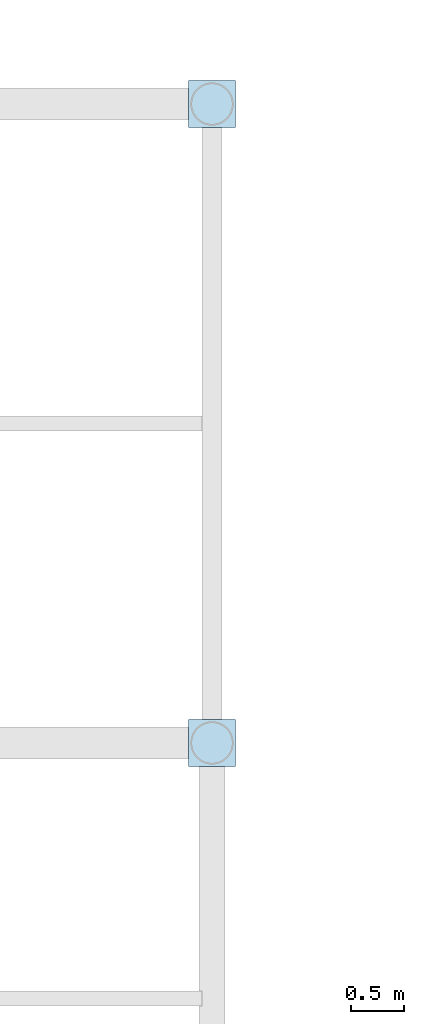
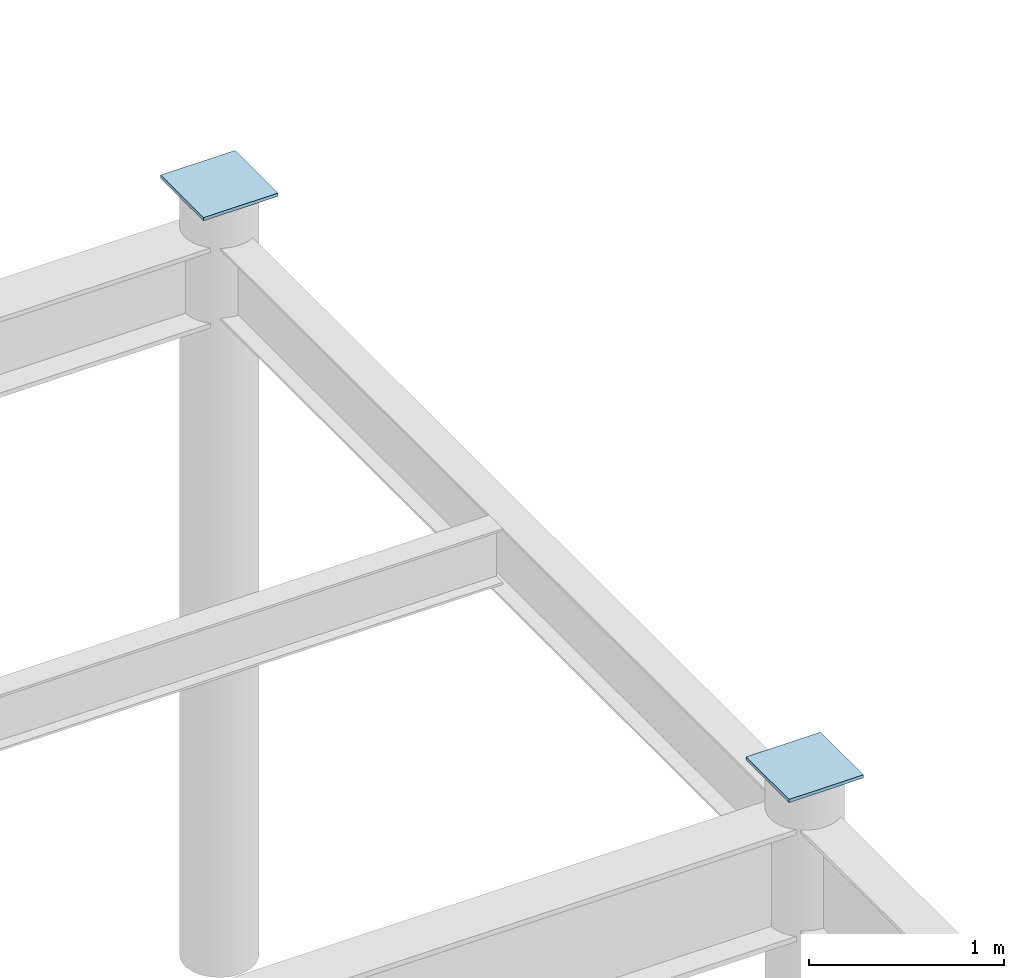
# One storey, part 92 of 121: 2 plates.
"""IFC4 building model written with IfcOpenShell, lengths in metres."""

from ifc_helpers import new_model, si_unit, direction, frame, origin, origin_2d, place, context, subcontext, project, spatial, rectangle, extrude, material, layer, layer_set, type_object, element, save


model = new_model("IFC4")

# Units and contexts
model_context = context("Model", 3, precision=1e-05, world=origin(), true_north=direction((0.0, 1.0)))
body_context = subcontext(model_context, "Body", "Model", "MODEL_VIEW")
ifc_project = project(units=[si_unit("LENGTHUNIT", "METRE"), si_unit("AREAUNIT", "SQUARE_METRE"), si_unit("VOLUMEUNIT", "CUBIC_METRE"), si_unit("PLANEANGLEUNIT", "RADIAN"), si_unit("MASSUNIT", "GRAM", prefix="KILO")], contexts=[model_context])

# Site, building, storey
site_placement = place(None, origin())
site = spatial("IfcSite", under=ifc_project, at=site_placement, CompositionType="ELEMENT")
building_placement = place(site_placement, origin())
building = spatial("IfcBuilding", under=site, at=building_placement, Name="Solvadek Multi-Sports Hall", CompositionType="ELEMENT")
storey_placement = place(building_placement, frame((0.0, 0.0, 4.800048828125)))
storey = spatial("IfcBuildingStorey", under=building, at=storey_placement, Name="L01", CompositionType="ELEMENT", Elevation=4.800048828125)

# Plates
ifc_material = material(Name="Steel E350 (350 MPa)", Category="steel")
ifc_layer = layer(ifc_material, 0.02001953125, Name="Steel E350 (350 MPa)")
ifc_layer_set = layer_set([ifc_layer], Name="Steel E350 (350 MPa)")
plate_type = type_object("IfcPlateType", Name="STR-PLT-CAP440", PredefinedType="USERDEFINED", material=ifc_layer_set)
for number, where, z_axis, x_axis, name in (
    (1, (86.39990234375, 104.39990234375, 4.800048828125), (0.0, 0.0, 1.0), (1.0, 0.0, 0.0), "Hollow Column End Cap #188"),
    (2, (86.39990234375, 110.39990234375, 4.800048828125), (0.0, 0.0, 1.0), (1.0, 0.0, 0.0), "Hollow Column End Cap #190"),
):
    element("IfcPlate", number, at=place(storey_placement, frame(where, z_axis=z_axis, x_axis=x_axis)), inside=storey, type_object=plate_type, Name=name, ObjectType="BASE_PLATE", PredefinedType="USERDEFINED", context=body_context, shape_type="SweptSolid", body=[
        extrude(rectangle(XDim=0.43994140625, YDim=0.43994140625, at=origin_2d()), origin(), (0.0, 0.0, 1.0), 0.02001953125),
    ])

save(model, "model.ifc")
